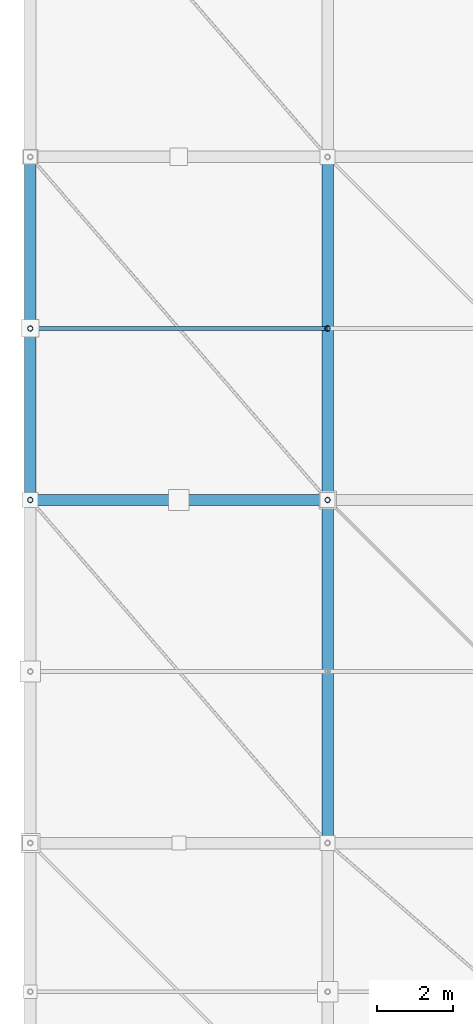
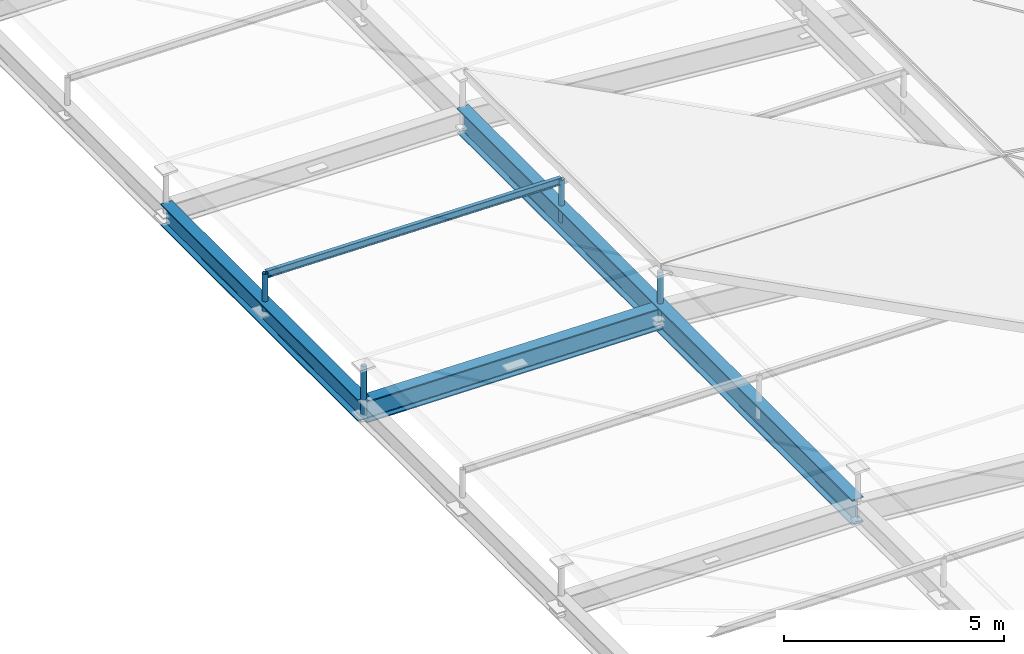
# One storey, part 6 of 80: 5 members, 3 beams.
"""IFC4 building model written with IfcOpenShell, lengths in metres."""

from ifc_helpers import new_model, si_unit, direction, frame, origin, origin_2d, place, context, subcontext, project, spatial, hollow_circle, i_section, extrude, material, material_profile, profile_set, type_object, element, save


model = new_model("IFC4")

# Units and contexts
model_context = context("Model", 3, precision=1e-05, world=origin(), true_north=direction((0.0, 1.0)))
body_context = subcontext(model_context, "Body", "Model", "MODEL_VIEW")
ifc_project = project(units=[si_unit("LENGTHUNIT", "METRE"), si_unit("AREAUNIT", "SQUARE_METRE"), si_unit("VOLUMEUNIT", "CUBIC_METRE"), si_unit("PLANEANGLEUNIT", "RADIAN"), si_unit("MASSUNIT", "GRAM", prefix="KILO")], contexts=[model_context])

# Site, building, storey
site_placement = place(None, origin())
site = spatial("IfcSite", under=ifc_project, at=site_placement, CompositionType="ELEMENT")
building_placement = place(site_placement, origin())
building = spatial("IfcBuilding", under=site, at=building_placement, Name="Barlavento Convention Centre", CompositionType="ELEMENT")
storey_placement = place(building_placement, frame((0.0, 0.0, 29.800048828125)))
storey = spatial("IfcBuildingStorey", under=building, at=storey_placement, Name="RF", CompositionType="ELEMENT", Elevation=29.800048828125)

# Beams
ifc_material_1 = material(Name="Steel S355", Category="steel")
ifc_material_profile_1 = material_profile(ifc_material_1, i_section(OverallWidth=0.300048828125, OverallDepth=0.60009765625, WebThickness=0.015380859375, FlangeThickness=0.030029296875, FilletRadius=0.027099609375, at=origin_2d()), Name="HEB 600")
ifc_profile_set_1 = profile_set([ifc_material_profile_1], Name="Steel S355")
beam_type_1 = type_object("IfcBeamType", Name="STR-BM-CANT-HEB600", PredefinedType="BEAM", material=ifc_profile_set_1)
beam_1_placement = place(storey_placement, frame((-7.794921875, 9.0, 0.39990234375), z_axis=(0.999894739787, 0.0, -0.014508940219), x_axis=(0.0, 1.0, 0.0)))
element("IfcBeam", 1, at=beam_1_placement, inside=storey, type_object=beam_type_1, Name="Congress roof truss space frame chord", PredefinedType="BEAM", context=body_context, shape_type="SweptSolid", body=[
    extrude(i_section(OverallWidth=0.300048828125, OverallDepth=0.60009765625, WebThickness=0.015380859375, FlangeThickness=0.030029296875, FilletRadius=0.027099609375, at=origin_2d()), origin(), (0.0, 0.0, 1.0), 7.790771484375),
])
beam_2_placement = place(storey_placement, frame((-7.800048828125, 9.0048828125, 0.39990234375), z_axis=(0.0, 1.0, 0.0), x_axis=(-1.0, 0.0, 0.0)))
element("IfcBeam", 2, at=beam_2_placement, inside=storey, type_object=beam_type_1, Name="Congress roof truss space frame chord", PredefinedType="BEAM", context=body_context, shape_type="SweptSolid", body=[
    extrude(i_section(OverallWidth=0.300048828125, OverallDepth=0.60009765625, WebThickness=0.015380859375, FlangeThickness=0.030029296875, FilletRadius=0.027099609375, at=origin_2d()), origin(), (0.0, 0.0, 1.0), 8.990234375),
])
ifc_material_2 = material(Name="Steel S460", Category="steel")
ifc_material_profile_2 = material_profile(ifc_material_2, i_section(OverallWidth=0.300048828125, OverallDepth=0.699951171875, WebThickness=0.01708984375, FlangeThickness=0.031982421875, FilletRadius=0.027099609375, at=origin_2d()), Name="HEB 700")
ifc_profile_set_2 = profile_set([ifc_material_profile_2], Name="Steel S460")
beam_type_2 = type_object("IfcBeamType", Name="STR-BM-TRUSS-TOP-HEB700", PredefinedType="BEAM", material=ifc_profile_set_2)
beam_3_placement = place(storey_placement, frame((0.0, 0.0048828125, 0.286865234375), z_axis=(0.0, 1.0, 0.0), x_axis=(-1.0, 0.0, 0.0)))
element("IfcBeam", 3, at=beam_3_placement, inside=storey, type_object=beam_type_2, Name="Congress roof truss space frame chord", PredefinedType="BEAM", context=body_context, shape_type="SweptSolid", body=[
    extrude(i_section(OverallWidth=0.300048828125, OverallDepth=0.699951171875, WebThickness=0.01708984375, FlangeThickness=0.031982421875, FilletRadius=0.027099609375, at=origin_2d()), origin(), (0.0, 0.0, 1.0), 17.990234375),
])

# Members
ifc_material_profile_3 = material_profile(ifc_material_1, hollow_circle(Radius=0.06982421875, WallThickness=0.008056640625, at=origin_2d()), Name="CHS 139.7x8.0")
ifc_profile_set_3 = profile_set([ifc_material_profile_3], Name="Steel S355")
member_type_1 = type_object("IfcMemberType", Name="STR-MEM-DIAG-CHS139", PredefinedType="BRACE", material=ifc_profile_set_3)
for number, where, z_axis, x_axis, name in (
    (4, (-7.800048828125, 9.0, 0.25), (0.0, 0.0, 1.0), (1.0, 0.0, 0.0), "Congress space frame vertical node post TD04"),
    (5, (0.0, 9.0, 0.136962890625), (0.0, 0.0, 1.0), (1.0, 0.0, 0.0), "Congress space frame vertical node post TD04"),
):
    element("IfcMember", number, at=place(storey_placement, frame(where, z_axis=z_axis, x_axis=x_axis)), inside=storey, type_object=member_type_1, Name=name, PredefinedType="BRACE", context=body_context, shape_type="SweptSolid", body=[
        extrude(hollow_circle(Radius=0.06982421875, WallThickness=0.008056640625, at=origin_2d()), origin(), (0.0, 0.0, 1.0), 1.369873046875),
    ])
member_1_placement = place(storey_placement, frame((-7.800048828125, 13.5, 0.280029296875), z_axis=(0.0, 0.0, 1.0), x_axis=(1.0, 0.0, 0.0)))
element("IfcMember", 6, at=member_1_placement, inside=storey, type_object=member_type_1, Name="Congress space frame vertical node post TD04", PredefinedType="BRACE", context=body_context, shape_type="SweptSolid", body=[
    extrude(hollow_circle(Radius=0.06982421875, WallThickness=0.008056640625, at=origin_2d()), origin(), (0.0, 0.0, 1.0), 1.181640625),
])
member_2_placement = place(storey_placement, frame((0.0, 13.5, 0.166748046875), z_axis=(0.0, 0.0, 1.0), x_axis=(1.0, 0.0, 0.0)))
element("IfcMember", 7, at=member_2_placement, inside=storey, type_object=member_type_1, Name="Congress space frame vertical node post TD04", PredefinedType="BRACE", context=body_context, shape_type="SweptSolid", body=[
    extrude(hollow_circle(Radius=0.06982421875, WallThickness=0.008056640625, at=origin_2d()), origin(), (0.0, 0.0, 1.0), 1.182373046875),
])
ifc_material_profile_4 = material_profile(ifc_material_1, i_section(OverallWidth=0.10009765625, OverallDepth=0.199951171875, WebThickness=0.005615234375, FlangeThickness=0.008544921875, FilletRadius=0.011962890625, at=origin_2d()), Name="IPE 200")
ifc_profile_set_4 = profile_set([ifc_material_profile_4], Name="Steel S355")
member_type_2 = type_object("IfcMemberType", Name="STR-MEM-PUR-IPE200", PredefinedType="PURLIN", material=ifc_profile_set_4)
member_3_placement = place(storey_placement, frame((-7.780029296875, 13.5, 1.421630859375), z_axis=(0.999894837982, 0.0, -0.014502171474), x_axis=(0.0, 1.0, 0.0)))
element("IfcMember", 8, at=member_3_placement, inside=storey, type_object=member_type_2, Name="Congress roof intermediate purlin PR01", PredefinedType="PURLIN", context=body_context, shape_type="SweptSolid", body=[
    extrude(i_section(OverallWidth=0.10009765625, OverallDepth=0.199951171875, WebThickness=0.005615234375, FlangeThickness=0.008544921875, FilletRadius=0.011962890625, at=origin_2d()), origin(), (0.0, 0.0, 1.0), 7.7607421875),
])

save(model, "model.ifc")
